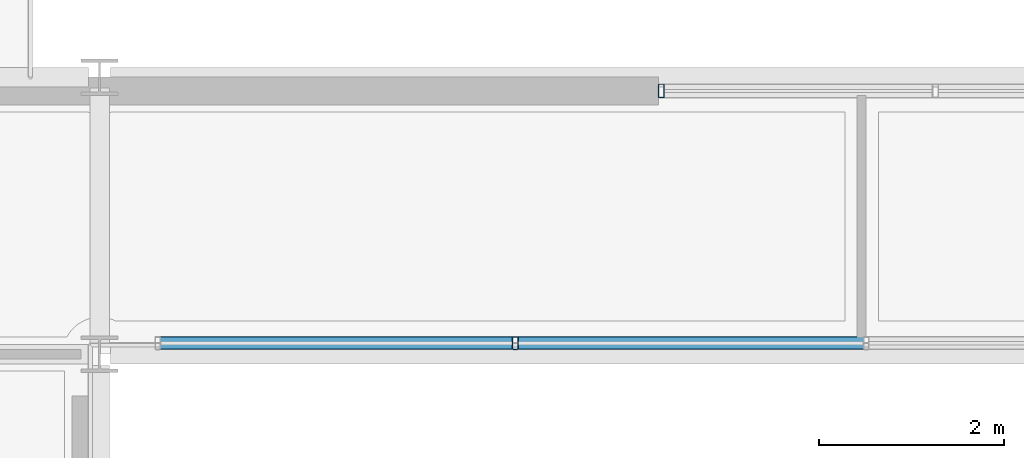
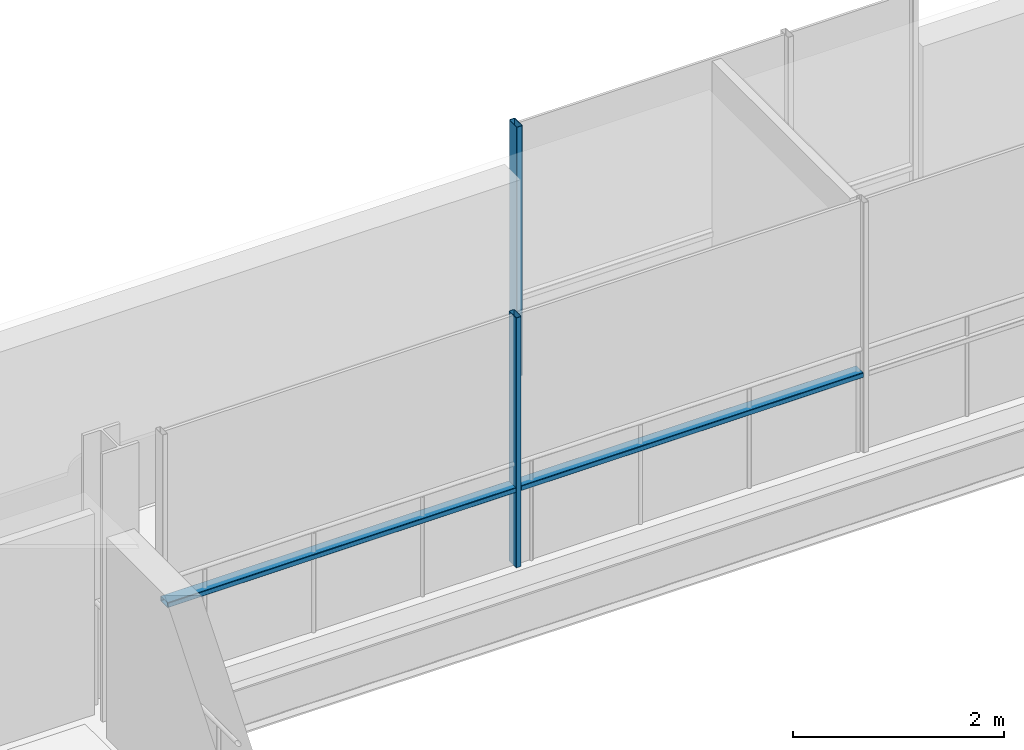
# One storey, part 10 of 35: 4 members, 2 elements without a shape of their own.
"""IFC4 building model written with IfcOpenShell, lengths in metres."""

from ifc_helpers import new_model, si_unit, direction, frame, origin, origin_2d, place, context, subcontext, project, spatial, hollow_rectangle, extrude, material, layer, layer_set, material_profile, profile_set, type_object, element, aggregate, save


model = new_model("IFC4")

# Units and contexts
model_context = context("Model", 3, precision=1e-05, world=origin(), true_north=direction((0.0, 1.0)))
body_context = subcontext(model_context, "Body", "Model", "MODEL_VIEW")
ifc_project = project(units=[si_unit("LENGTHUNIT", "METRE"), si_unit("AREAUNIT", "SQUARE_METRE"), si_unit("VOLUMEUNIT", "CUBIC_METRE"), si_unit("PLANEANGLEUNIT", "RADIAN"), si_unit("MASSUNIT", "GRAM", prefix="KILO")], contexts=[model_context])

# Site, building, storey
site_placement = place(None, origin())
site = spatial("IfcSite", under=ifc_project, at=site_placement, CompositionType="ELEMENT")
building_placement = place(site_placement, origin())
building = spatial("IfcBuilding", under=site, at=building_placement, Name="Brevholm Reach", CompositionType="ELEMENT")
storey_placement = place(building_placement, frame((0.0, 0.0, 183.199951171875)))
storey = spatial("IfcBuildingStorey", under=building, at=storey_placement, Name="L55", CompositionType="ELEMENT", Elevation=183.199951171875)

# Curtain wall, member
ifc_material_1 = material(Name="Dark Anodised Aluminium 6063-T6 and Solar-Control Glass", Category="aluminium")
ifc_layer_1 = layer(ifc_material_1, 0.139892578125)
ifc_layer_set_1 = layer_set([ifc_layer_1], Name="Dark Anodised Aluminium 6063-T6 and Solar-Control Glass")
curtain_wall_type_1 = type_object("IfcCurtainWallType", Name="CW-02", PredefinedType="NOTDEFINED", material=ifc_layer_set_1)
curtain_wall_1_placement = place(storey_placement, origin())
curtain_wall_1 = element("IfcCurtainWall", 1, at=curtain_wall_1_placement, inside=storey, type_object=curtain_wall_type_1, Name="L55 Curtain Wall CW-02", PredefinedType="NOTDEFINED")
ifc_material_2 = material(Name="Dark Anodised Aluminium 6063-T6", Category="aluminium")
ifc_material_profile_1 = material_profile(ifc_material_2, hollow_rectangle(XDim=0.06005859375, YDim=0.139892578125, WallThickness=0.0048828125, InnerFilletRadius=0.0048828125, OuterFilletRadius=0.010009765625, at=origin_2d()), Name="RHS 140x60x5")
ifc_profile_set_1 = profile_set([ifc_material_profile_1], Name="Dark Anodised Aluminium 6063-T6")
member_type_1 = type_object("IfcMemberType", Name="CWM-140", PredefinedType="MULLION", material=ifc_profile_set_1)
member_1_placement = place(storey_placement, frame((26.25, 23.6201171875, 0.0), z_axis=(0.0, 0.0, 1.0), x_axis=(-1.0, 0.0, 0.0)))
member_1 = element("IfcMember", 2, at=member_1_placement, type_object=member_type_1, Name="CM-140 Mullion 4", PredefinedType="MULLION", context=body_context, shape_type="SweptSolid", body=[
    extrude(hollow_rectangle(XDim=0.06005859375, YDim=0.139892578125, WallThickness=0.0048828125, InnerFilletRadius=0.0048828125, OuterFilletRadius=0.010009765625, at=origin_2d()), origin(), (0.0, 0.0, 1.0), 2.89013671875),
])

ifc_material_3 = material(Name="Dark Anodised Aluminium 6063-T6 and Solar-Control Glass", Category="aluminium")
ifc_layer_2 = layer(ifc_material_3, 0.14990234375)
ifc_layer_set_2 = layer_set([ifc_layer_2], Name="Dark Anodised Aluminium 6063-T6 and Solar-Control Glass")
curtain_wall_type_2 = type_object("IfcCurtainWallType", Name="CW-01", PredefinedType="NOTDEFINED", material=ifc_layer_set_2)
curtain_wall_2_placement = place(storey_placement, origin())
curtain_wall_2 = element("IfcCurtainWall", 3, at=curtain_wall_2_placement, inside=storey, type_object=curtain_wall_type_2, Name="L55 Curtain Wall CW-01", PredefinedType="NOTDEFINED")
ifc_material_4 = material(Name="Dark Anodised Aluminium 6063-T6", Category="aluminium")
ifc_material_profile_2 = material_profile(ifc_material_4, hollow_rectangle(XDim=0.06494140625, YDim=0.14990234375, WallThickness=0.0048828125, InnerFilletRadius=0.0048828125, OuterFilletRadius=0.010009765625, at=origin_2d()), Name="RHS 150x65x5")
ifc_profile_set_2 = profile_set([ifc_material_profile_2], Name="Dark Anodised Aluminium 6063-T6")
member_type_2 = type_object("IfcMemberType", Name="CWM-150", PredefinedType="MULLION", material=ifc_profile_set_2)
member_2_placement = place(storey_placement, frame((27.83251953125, 26.35009765625, 0.0), z_axis=(0.0, 0.0, 1.0), x_axis=(1.0, 0.0, 0.0)))
member_2 = element("IfcMember", 4, at=member_2_placement, type_object=member_type_2, Name="CM-150 Mullion 1", PredefinedType="MULLION", context=body_context, shape_type="SweptSolid", body=[
    extrude(hollow_rectangle(XDim=0.06494140625, YDim=0.14990234375, WallThickness=0.0048828125, InnerFilletRadius=0.0048828125, OuterFilletRadius=0.010009765625, at=origin_2d()), origin(), (0.0, 0.0, 1.0), 2.89013671875),
])
aggregate(curtain_wall_2, [member_2])

# Member
ifc_material_5 = material(Name="Dark Anodised Aluminium 6063-T6", Category="aluminium")
ifc_material_profile_3 = material_profile(ifc_material_5, hollow_rectangle(XDim=0.06005859375, YDim=0.139892578125, WallThickness=0.0048828125, InnerFilletRadius=0.0048828125, OuterFilletRadius=0.010009765625, at=origin_2d()), Name="RHS 140x60x5")
ifc_profile_set_3 = profile_set([ifc_material_profile_3], Name="Dark Anodised Aluminium 6063-T6")
member_type_3 = type_object("IfcMemberType", Name="CWT-140", PredefinedType="NOTDEFINED", material=ifc_profile_set_3)
member_3_placement = place(storey_placement, frame((30.02001953125, 23.6201171875, 0.900146484375), z_axis=(-1.0, 0.0, 0.0), x_axis=(0.0, 0.0, 1.0)))
member_3 = element("IfcMember", 5, at=member_3_placement, type_object=member_type_3, Name="CT-140 Transom 3.1", ObjectType="TRANSOM", PredefinedType="USERDEFINED", context=body_context, shape_type="SweptSolid", body=[
    extrude(hollow_rectangle(XDim=0.06005859375, YDim=0.139892578125, WallThickness=0.0048828125, InnerFilletRadius=0.0048828125, OuterFilletRadius=0.010009765625, at=origin_2d()), origin(), (0.0, 0.0, 1.0), 3.739990234375),
])

member_4_placement = place(storey_placement, frame((26.219970703125, 23.6201171875, 0.900146484375), z_axis=(-1.0, 0.0, 0.0), x_axis=(0.0, 0.0, 1.0)))
member_4 = element("IfcMember", 6, at=member_4_placement, type_object=member_type_3, Name="CT-140 Transom 4.1", ObjectType="TRANSOM", PredefinedType="USERDEFINED", context=body_context, shape_type="SweptSolid", body=[
    extrude(hollow_rectangle(XDim=0.06005859375, YDim=0.139892578125, WallThickness=0.0048828125, InnerFilletRadius=0.0048828125, OuterFilletRadius=0.010009765625, at=origin_2d()), origin(), (0.0, 0.0, 1.0), 3.81005859375),
])

aggregate(curtain_wall_1, [member_1, member_3, member_4])

save(model, "model.ifc")
